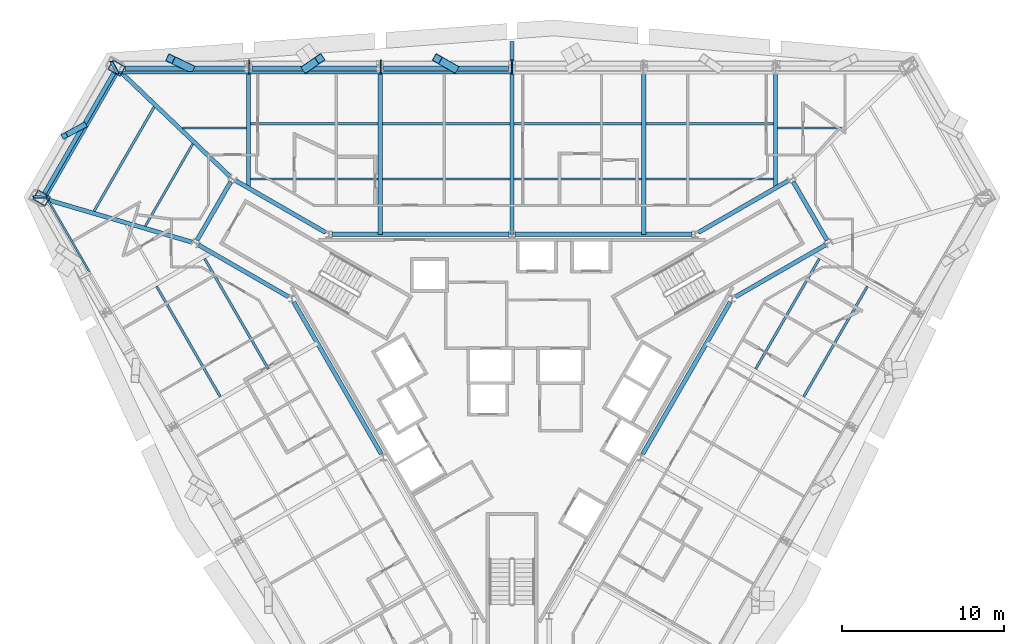
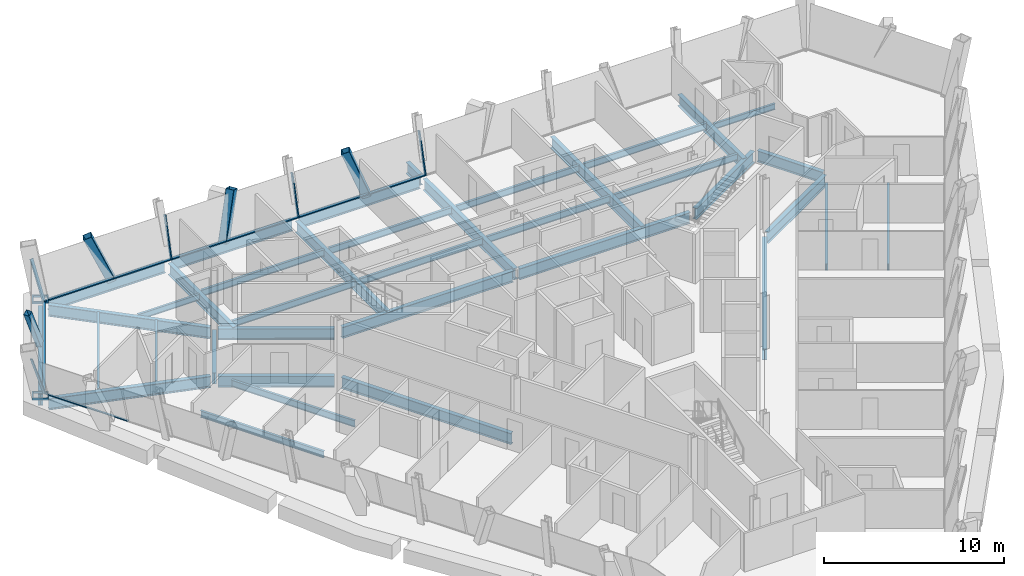
# One storey, part 5 of 14: 38 beams, 16 members, 3 elements without a shape of their own.
"""IFC4 building model written with IfcOpenShell, lengths in metres."""

from ifc_helpers import new_model, si_unit, direction, frame, origin, origin_2d, place, context, subcontext, project, spatial, rectangle, hollow_rectangle, i_section, extrude, material, material_profile, profile_set, type_object, element, aggregate, save


model = new_model("IFC4")

# Units and contexts
model_context = context("Model", 3, precision=1e-05, world=origin(), true_north=direction((0.0, 1.0)))
body_context = subcontext(model_context, "Body", "Model", "MODEL_VIEW")
ifc_project = project(units=[si_unit("LENGTHUNIT", "METRE"), si_unit("AREAUNIT", "SQUARE_METRE"), si_unit("VOLUMEUNIT", "CUBIC_METRE"), si_unit("PLANEANGLEUNIT", "RADIAN"), si_unit("MASSUNIT", "GRAM", prefix="KILO")], contexts=[model_context])

# Site, building, storey
site_placement = place(None, origin())
site = spatial("IfcSite", under=ifc_project, at=site_placement, CompositionType="ELEMENT")
building_placement = place(site_placement, origin())
building = spatial("IfcBuilding", under=site, at=building_placement, Name="Verrane Prism Tower", CompositionType="ELEMENT")
storey_placement = place(building_placement, frame((0.0, 0.0, 128.800048828125)))
storey = spatial("IfcBuildingStorey", under=building, at=storey_placement, Name="L31", CompositionType="ELEMENT", Elevation=128.800048828125)

# Member
ifc_material_1 = material(Name="Steel A500 Grade C", Category="steel")
ifc_material_profile_1 = material_profile(ifc_material_1, hollow_rectangle(XDim=0.355712890625, YDim=0.355712890625, WallThickness=0.0126953125, InnerFilletRadius=0.00634765625, OuterFilletRadius=0.01904296875, at=origin_2d()), Name="HSS14x14x1/2")
ifc_profile_set_1 = profile_set([ifc_material_profile_1], Name="Steel A500 Grade C")
member_type_1 = type_object("IfcMemberType", Name="Chamfer brace HSS14x14x1/2", PredefinedType="BRACE", material=ifc_profile_set_1)
member_1_placement = place(storey_placement, frame((-26.51611328125, 15.94482421875, -0.2451171875), z_axis=(-0.360232202737, -0.197238249277, 0.911772906558), x_axis=(0.480255117937, -0.87712885125, 0.0)))
element("IfcMember", 1, at=member_1_placement, inside=storey, type_object=member_type_1, Name="Chamfer brace NW0 L31", PredefinedType="BRACE", context=body_context, shape_type="SweptSolid", body=[
    extrude(hollow_rectangle(XDim=0.355712890625, YDim=0.355712890625, WallThickness=0.0126953125, InnerFilletRadius=0.00634765625, OuterFilletRadius=0.01904296875, at=origin_2d()), origin(), (0.0, 0.0, 1.0), 3.293701171875),
])

# Beams
ifc_material_2 = material(Name="Steel A992", Category="steel")
ifc_material_profile_2 = material_profile(ifc_material_2, i_section(OverallWidth=0.2666015625, OverallDepth=0.76708984375, WebThickness=0.014892578125, FlangeThickness=0.023681640625, FilletRadius=0.0166015625, at=origin_2d()), Name="W30x124")
ifc_profile_set_2 = profile_set([ifc_material_profile_2], Name="Steel A992")
beam_type_1 = type_object("IfcBeamType", Name="Chamfer spandrel beam W30x124", PredefinedType="SPANDREL", material=ifc_profile_set_2)
beam_1_placement = place(storey_placement, frame((-24.64501953125, 19.18701171875, -0.54345703125), z_axis=(-0.499834903175, -0.866120701501, 0.0), x_axis=(0.866120701501, -0.499834903175, 0.0)))
element("IfcBeam", 2, at=beam_1_placement, inside=storey, type_object=beam_type_1, Name="Chamfer spandrel beam L31", PredefinedType="SPANDREL", context=body_context, shape_type="SweptSolid", body=[
    extrude(i_section(OverallWidth=0.2666015625, OverallDepth=0.76708984375, WebThickness=0.014892578125, FlangeThickness=0.023681640625, FilletRadius=0.0166015625, at=origin_2d()), origin(), (0.0, 0.0, 1.0), 8.5830078125),
])
ifc_material_3 = material(Name="Steel A992", Category="steel")
ifc_material_profile_3 = material_profile(ifc_material_3, i_section(OverallWidth=0.2666015625, OverallDepth=0.7568359375, WebThickness=0.013916015625, FlangeThickness=0.019287109375, FilletRadius=0.0166015625, at=origin_2d()), Name="W30x108")
ifc_profile_set_3 = profile_set([ifc_material_profile_3], Name="Steel A992")
beam_type_2 = type_object("IfcBeamType", Name="Core ring girder W30x108", PredefinedType="BEAM", material=ifc_profile_set_3)
beam_2_placement = place(storey_placement, frame((13.830810546875, 5.335693359375, -0.628662109375), z_axis=(0.866455532004, 0.499254254924, 0.0), x_axis=(-0.499254254924, 0.866455532004, 0.0)))
element("IfcBeam", 3, at=beam_2_placement, inside=storey, type_object=beam_type_2, Name="Core ring girder L31", PredefinedType="BEAM", context=body_context, shape_type="SweptSolid", body=[
    extrude(i_section(OverallWidth=0.2666015625, OverallDepth=0.7568359375, WebThickness=0.013916015625, FlangeThickness=0.019287109375, FilletRadius=0.0166015625, at=origin_2d()), origin(), (0.0, 0.0, 1.0), 6.441162109375),
])
beam_3_placement = place(storey_placement, frame((19.4970703125, 8.838134765625, -0.628662109375), z_axis=(-0.500367003619, 0.865813410435, 0.0), x_axis=(-0.865813410435, -0.500367003619, 0.0)))
element("IfcBeam", 4, at=beam_3_placement, inside=storey, type_object=beam_type_2, Name="Core ring girder L31", PredefinedType="BEAM", context=body_context, shape_type="SweptSolid", body=[
    extrude(i_section(OverallWidth=0.2666015625, OverallDepth=0.7568359375, WebThickness=0.013916015625, FlangeThickness=0.019287109375, FilletRadius=0.0166015625, at=origin_2d()), origin(), (0.0, 0.0, 1.0), 4.185302734375),
])
beam_4_placement = place(storey_placement, frame((17.11181640625, 12.531494140625, -0.628662109375), z_axis=(-0.866455532004, -0.499254254924, 0.0), x_axis=(0.499254254924, -0.866455532004, 0.0)))
element("IfcBeam", 5, at=beam_4_placement, inside=storey, type_object=beam_type_2, Name="Core ring girder L31", PredefinedType="BEAM", context=body_context, shape_type="SweptSolid", body=[
    extrude(i_section(OverallWidth=0.2666015625, OverallDepth=0.7568359375, WebThickness=0.013916015625, FlangeThickness=0.019287109375, FilletRadius=0.0166015625, at=origin_2d()), origin(), (0.0, 0.0, 1.0), 6.441162109375),
])
for number, where, z_axis, x_axis, name in (
    (6, (11.12939453125, 9.199951171875, -0.628662109375), (-1.0, 0.0, 0.0), (0.0, -1.0, 0.0), "Core ring girder L31"),
    (7, (-0.20068359375, 9.199951171875, -0.628662109375), (-1.0, 0.0, 0.0), (0.0, -1.0, 0.0), "Core ring girder L31"),
):
    element("IfcBeam", number, at=place(storey_placement, frame(where, z_axis=z_axis, x_axis=x_axis)), inside=storey, type_object=beam_type_2, Name=name, PredefinedType="BEAM", context=body_context, shape_type="SweptSolid", body=[
        extrude(i_section(OverallWidth=0.2666015625, OverallDepth=0.7568359375, WebThickness=0.013916015625, FlangeThickness=0.019287109375, FilletRadius=0.0166015625, at=origin_2d()), origin(), (0.0, 0.0, 1.0), 10.9287109375),
    ])
beam_5_placement = place(storey_placement, frame((-11.53076171875, 9.315673828125, -0.628662109375), z_axis=(-0.866455532004, 0.499254254924, 0.0), x_axis=(-0.499254254924, -0.866455532004, 0.0)))
element("IfcBeam", 8, at=beam_5_placement, inside=storey, type_object=beam_type_2, Name="Core ring girder L31", PredefinedType="BEAM", context=body_context, shape_type="SweptSolid", body=[
    extrude(i_section(OverallWidth=0.2666015625, OverallDepth=0.7568359375, WebThickness=0.013916015625, FlangeThickness=0.019287109375, FilletRadius=0.0166015625, at=origin_2d()), origin(), (0.0, 0.0, 1.0), 6.441162109375),
])
beam_6_placement = place(storey_placement, frame((-17.40283203125, 12.4619140625, -0.628662109375), z_axis=(-0.500367003619, -0.865813410435, 0.0), x_axis=(0.865813410435, -0.500367003619, 0.0)))
element("IfcBeam", 9, at=beam_6_placement, inside=storey, type_object=beam_type_2, Name="Core ring girder L31", PredefinedType="BEAM", context=body_context, shape_type="SweptSolid", body=[
    extrude(i_section(OverallWidth=0.2666015625, OverallDepth=0.7568359375, WebThickness=0.013916015625, FlangeThickness=0.019287109375, FilletRadius=0.0166015625, at=origin_2d()), origin(), (0.0, 0.0, 1.0), 4.185302734375),
])
beam_7_placement = place(storey_placement, frame((-19.411865234375, 8.551513671875, -0.628662109375), z_axis=(0.866455532004, -0.499254254924, 0.0), x_axis=(0.499254254924, 0.866455532004, 0.0)))
element("IfcBeam", 10, at=beam_7_placement, inside=storey, type_object=beam_type_2, Name="Core ring girder L31", PredefinedType="BEAM", context=body_context, shape_type="SweptSolid", body=[
    extrude(i_section(OverallWidth=0.2666015625, OverallDepth=0.7568359375, WebThickness=0.013916015625, FlangeThickness=0.019287109375, FilletRadius=0.0166015625, at=origin_2d()), origin(), (0.0, 0.0, 1.0), 6.441162109375),
])
for number, where, z_axis, x_axis, name in (
    (11, (-13.51513671875, 5.0205078125, -0.628662109375), (0.4993706109, -0.866388476937, 0.0), (0.866388476937, 0.4993706109, 0.0), "Core ring girder L31"),
    (12, (8.0849609375, -4.400634765625, -0.628662109375), (0.4993706109, 0.866388476937, 0.0), (-0.866388476937, 0.4993706109, 0.0), "Core ring girder L31"),
):
    element("IfcBeam", number, at=place(storey_placement, frame(where, z_axis=z_axis, x_axis=x_axis)), inside=storey, type_object=beam_type_2, Name=name, PredefinedType="BEAM", context=body_context, shape_type="SweptSolid", body=[
        extrude(i_section(OverallWidth=0.2666015625, OverallDepth=0.7568359375, WebThickness=0.013916015625, FlangeThickness=0.019287109375, FilletRadius=0.0166015625, at=origin_2d()), origin(), (0.0, 0.0, 1.0), 10.8740234375),
    ])
ifc_material_4 = material(Name="Steel A992", Category="steel")
ifc_material_profile_4 = material_profile(ifc_material_4, i_section(OverallWidth=0.2666015625, OverallDepth=0.76708984375, WebThickness=0.014892578125, FlangeThickness=0.023681640625, FilletRadius=0.0166015625, at=origin_2d()), Name="W30x124")
ifc_profile_set_4 = profile_set([ifc_material_profile_4], Name="Steel A992")
beam_type_3 = type_object("IfcBeamType", Name="Corner girder W30x124", PredefinedType="BEAM", material=ifc_profile_set_4)
beam_8_placement = place(storey_placement, frame((-24.135009765625, 19.170166015625, -0.603515625), z_axis=(0.723045594002, -0.690800310506, 0.0), x_axis=(0.690800310506, 0.723045594002, 0.0)))
element("IfcBeam", 13, at=beam_8_placement, inside=storey, type_object=beam_type_3, Name="Corner girder L31", PredefinedType="BEAM", context=body_context, shape_type="SweptSolid", body=[
    extrude(i_section(OverallWidth=0.2666015625, OverallDepth=0.76708984375, WebThickness=0.014892578125, FlangeThickness=0.023681640625, FilletRadius=0.0166015625, at=origin_2d()), origin(), (0.0, 0.0, 1.0), 9.2294921875),
])
beam_9_placement = place(storey_placement, frame((-28.66552734375, 11.319580078125, -0.603515625), z_axis=(0.959558305514, -0.281509961313, 0.0), x_axis=(0.281509961313, 0.959558305514, 0.0)))
element("IfcBeam", 14, at=beam_9_placement, inside=storey, type_object=beam_type_3, Name="Corner girder L31", PredefinedType="BEAM", context=body_context, shape_type="SweptSolid", body=[
    extrude(i_section(OverallWidth=0.2666015625, OverallDepth=0.76708984375, WebThickness=0.014892578125, FlangeThickness=0.023681640625, FilletRadius=0.0166015625, at=origin_2d()), origin(), (0.0, 0.0, 1.0), 9.22412109375),
])

# Members
ifc_material_5 = material(Name="Steel A1085 Grade A", Category="steel")
ifc_material_profile_5 = material_profile(ifc_material_5, hollow_rectangle(XDim=0.508056640625, YDim=0.508056640625, WallThickness=0.025390625, InnerFilletRadius=0.0126953125, OuterFilletRadius=0.0380859375, at=origin_2d()), Name="HSS20x20x1")
ifc_profile_set_5 = profile_set([ifc_material_profile_5], Name="Steel A1085 Grade A")
member_type_2 = type_object("IfcMemberType", Name="Facade brace HSS20x20x1", PredefinedType="BRACE", material=ifc_profile_set_5)
member_2_placement = place(storey_placement, frame((-3.597900390625, 19.489990234375, -0.24267578125), z_axis=(-0.317498365882, 0.179905666151, 0.931036378961), x_axis=(-0.492991675049, -0.870034027112, 0.0)))
element("IfcMember", 15, at=member_2_placement, inside=storey, type_object=member_type_2, Name="Facade brace N3 L31", PredefinedType="BRACE", context=body_context, shape_type="SweptSolid", body=[
    extrude(hollow_rectangle(XDim=0.508056640625, YDim=0.508056640625, WallThickness=0.025390625, InnerFilletRadius=0.0126953125, OuterFilletRadius=0.0380859375, at=origin_2d()), origin(), (0.0, 0.0, 1.0), 3.231201171875),
])
member_3_placement = place(storey_placement, frame((-12.734375, 19.489990234375, -0.24267578125), z_axis=(0.264711269754, 0.182954291229, 0.946813429872), x_axis=(-0.568564109327, 0.822638957007, 0.0)))
element("IfcMember", 16, at=member_3_placement, inside=storey, type_object=member_type_2, Name="Facade brace N4 L31", PredefinedType="BRACE", context=body_context, shape_type="SweptSolid", body=[
    extrude(hollow_rectangle(XDim=0.508056640625, YDim=0.508056640625, WallThickness=0.025390625, InnerFilletRadius=0.0126953125, OuterFilletRadius=0.0380859375, at=origin_2d()), origin(), (0.0, 0.0, 1.0), 3.17724609375),
])
member_4_placement = place(storey_placement, frame((-19.927001953125, 19.489990234375, -0.24267578125), z_axis=(-0.369092947776, 0.17632630591, 0.912512701142), x_axis=(-0.431064681297, -0.902321029644, 0.0)))
element("IfcMember", 17, at=member_4_placement, inside=storey, type_object=member_type_2, Name="Facade brace N5 L31", PredefinedType="BRACE", context=body_context, shape_type="SweptSolid", body=[
    extrude(hollow_rectangle(XDim=0.508056640625, YDim=0.508056640625, WallThickness=0.025390625, InnerFilletRadius=0.0126953125, OuterFilletRadius=0.0380859375, at=origin_2d()), origin(), (0.0, 0.0, 1.0), 3.296630859375),
])

# Beams
ifc_material_6 = material(Name="Steel A992", Category="steel")
ifc_material_profile_6 = material_profile(ifc_material_6, i_section(OverallWidth=0.140380859375, OverallDepth=0.40380859375, WebThickness=0.007080078125, FlangeThickness=0.01123046875, FilletRadius=0.01025390625, at=origin_2d()), Name="W16x31")
ifc_profile_set_6 = profile_set([ifc_material_profile_6], Name="Steel A992")
beam_type_4 = type_object("IfcBeamType", Name="Floor beam W16x31", PredefinedType="BEAM", material=ifc_profile_set_6)
for number, where, z_axis, x_axis, name in (
    (18, (16.443603515625, 15.780029296875, -0.362060546875), (1.0, 0.0, 0.0), (0.0, 1.0, 0.0), "Floor beam L31"),
    (19, (-20.393310546875, 15.780029296875, -0.362060546875), (1.0, 0.0, 0.0), (0.0, 1.0, 0.0), "Floor beam L31"),
):
    element("IfcBeam", number, at=place(storey_placement, frame(where, z_axis=z_axis, x_axis=x_axis)), inside=storey, type_object=beam_type_4, Name=name, PredefinedType="BEAM", context=body_context, shape_type="SweptSolid", body=[
        extrude(i_section(OverallWidth=0.140380859375, OverallDepth=0.40380859375, WebThickness=0.007080078125, FlangeThickness=0.01123046875, FilletRadius=0.01025390625, at=origin_2d()), origin(), (0.0, 0.0, 1.0), 3.94970703125),
    ])
beam_10_placement = place(storey_placement, frame((-22.70068359375, 9.708740234375, -0.362060546875), z_axis=(0.500003813253, 0.866023202191, 0.0), x_axis=(-0.866023202191, 0.500003813253, 0.0)))
element("IfcBeam", 20, at=beam_10_placement, inside=storey, type_object=beam_type_4, Name="Floor beam L31", PredefinedType="BEAM", context=body_context, shape_type="SweptSolid", body=[
    extrude(i_section(OverallWidth=0.140380859375, OverallDepth=0.40380859375, WebThickness=0.007080078125, FlangeThickness=0.01123046875, FilletRadius=0.01025390625, at=origin_2d()), origin(), (0.0, 0.0, 1.0), 5.8837890625),
])
ifc_material_7 = material(Name="Steel A992", Category="steel")
ifc_material_profile_7 = material_profile(ifc_material_7, i_section(OverallWidth=0.15234375, OverallDepth=0.449462890625, WebThickness=0.007568359375, FlangeThickness=0.0107421875, FilletRadius=0.01025390625, at=origin_2d()), Name="W18x35")
ifc_profile_set_7 = profile_set([ifc_material_profile_7], Name="Steel A992")
beam_type_5 = type_object("IfcBeamType", Name="Floor beam W18x35", PredefinedType="BEAM", material=ifc_profile_set_7)
for number, where, z_axis, x_axis, name in (
    (21, (8.29345703125, 12.6298828125, -0.384765625), (1.0, 0.0, 0.0), (0.0, 1.0, 0.0), "Floor beam L31"),
    (22, (8.29345703125, 16.06005859375, -0.384765625), (1.0, 0.0, 0.0), (0.0, 1.0, 0.0), "Floor beam L31"),
):
    element("IfcBeam", number, at=place(storey_placement, frame(where, z_axis=z_axis, x_axis=x_axis)), inside=storey, type_object=beam_type_5, Name=name, PredefinedType="BEAM", context=body_context, shape_type="SweptSolid", body=[
        extrude(i_section(OverallWidth=0.15234375, OverallDepth=0.449462890625, WebThickness=0.007568359375, FlangeThickness=0.0107421875, FilletRadius=0.01025390625, at=origin_2d()), origin(), (0.0, 0.0, 1.0), 7.883056640625),
    ])
for number, where, z_axis, x_axis, name in (
    (23, (0.133544921875, 12.6298828125, -0.384765625), (1.0, 0.0, 0.0), (0.0, 1.0, 0.0), "Floor beam L31"),
    (24, (0.133544921875, 16.06005859375, -0.384765625), (1.0, 0.0, 0.0), (0.0, 1.0, 0.0), "Floor beam L31"),
    (25, (-8.026611328125, 12.6298828125, -0.384765625), (1.0, 0.0, 0.0), (0.0, 1.0, 0.0), "Floor beam L31"),
    (26, (-8.026611328125, 16.06005859375, -0.384765625), (1.0, 0.0, 0.0), (0.0, 1.0, 0.0), "Floor beam L31"),
):
    element("IfcBeam", number, at=place(storey_placement, frame(where, z_axis=z_axis, x_axis=x_axis)), inside=storey, type_object=beam_type_5, Name=name, PredefinedType="BEAM", context=body_context, shape_type="SweptSolid", body=[
        extrude(i_section(OverallWidth=0.15234375, OverallDepth=0.449462890625, WebThickness=0.007568359375, FlangeThickness=0.0107421875, FilletRadius=0.01025390625, at=origin_2d()), origin(), (0.0, 0.0, 1.0), 7.89306640625),
    ])
for number, where, z_axis, x_axis, name in (
    (27, (-16.176513671875, 12.6298828125, -0.384765625), (1.0, 0.0, 0.0), (0.0, 1.0, 0.0), "Floor beam L31"),
    (28, (-16.176513671875, 16.06005859375, -0.384765625), (1.0, 0.0, 0.0), (0.0, 1.0, 0.0), "Floor beam L31"),
):
    element("IfcBeam", number, at=place(storey_placement, frame(where, z_axis=z_axis, x_axis=x_axis)), inside=storey, type_object=beam_type_5, Name=name, PredefinedType="BEAM", context=body_context, shape_type="SweptSolid", body=[
        extrude(i_section(OverallWidth=0.15234375, OverallDepth=0.449462890625, WebThickness=0.007568359375, FlangeThickness=0.0107421875, FilletRadius=0.01025390625, at=origin_2d()), origin(), (0.0, 0.0, 1.0), 7.883056640625),
    ])
beam_11_placement = place(storey_placement, frame((-15.0810546875, 0.868408203125, -0.384765625), z_axis=(-0.499998505031, 0.866026266903, 0.0), x_axis=(-0.866026266903, -0.499998505031, 0.0)))
element("IfcBeam", 29, at=beam_11_placement, inside=storey, type_object=beam_type_5, Name="Floor beam L31", PredefinedType="BEAM", context=body_context, shape_type="SweptSolid", body=[
    extrude(i_section(OverallWidth=0.15234375, OverallDepth=0.449462890625, WebThickness=0.007568359375, FlangeThickness=0.0107421875, FilletRadius=0.01025390625, at=origin_2d()), origin(), (0.0, 0.0, 1.0), 7.88525390625),
])
for number, where, z_axis, x_axis, name in (
    (30, (-18.055419921875, -0.848876953125, -0.384765625), (-0.500004726595, 0.866022674866, 0.0), (-0.866022674866, -0.500004726595, 0.0), "Floor beam L31"),
    (31, (18.055419921875, -0.848876953125, -0.384765625), (0.500004726595, 0.866022674866, 0.0), (-0.866022674866, 0.500004726595, 0.0), "Floor beam L31"),
):
    element("IfcBeam", number, at=place(storey_placement, frame(where, z_axis=z_axis, x_axis=x_axis)), inside=storey, type_object=beam_type_5, Name=name, PredefinedType="BEAM", context=body_context, shape_type="SweptSolid", body=[
        extrude(i_section(OverallWidth=0.15234375, OverallDepth=0.449462890625, WebThickness=0.007568359375, FlangeThickness=0.0107421875, FilletRadius=0.01025390625, at=origin_2d()), origin(), (0.0, 0.0, 1.0), 7.88623046875),
    ])
beam_12_placement = place(storey_placement, frame((15.0810546875, 0.868408203125, -0.384765625), z_axis=(0.499998505031, 0.866026266903, 0.0), x_axis=(-0.866026266903, 0.499998505031, 0.0)))
element("IfcBeam", 32, at=beam_12_placement, inside=storey, type_object=beam_type_5, Name="Floor beam L31", PredefinedType="BEAM", context=body_context, shape_type="SweptSolid", body=[
    extrude(i_section(OverallWidth=0.15234375, OverallDepth=0.449462890625, WebThickness=0.007568359375, FlangeThickness=0.0107421875, FilletRadius=0.01025390625, at=origin_2d()), origin(), (0.0, 0.0, 1.0), 7.88525390625),
])
beam_13_placement = place(storey_placement, frame((-25.871826171875, 10.63916015625, -0.384765625), z_axis=(0.500011000363, 0.866019052629, 0.0), x_axis=(-0.866019052629, 0.500011000363, 0.0)))
element("IfcBeam", 33, at=beam_13_placement, inside=storey, type_object=beam_type_5, Name="Floor beam L31", PredefinedType="BEAM", context=body_context, shape_type="SweptSolid", body=[
    extrude(i_section(OverallWidth=0.15234375, OverallDepth=0.449462890625, WebThickness=0.007568359375, FlangeThickness=0.0107421875, FilletRadius=0.01025390625, at=origin_2d()), origin(), (0.0, 0.0, 1.0), 7.446044921875),
])

# Members
ifc_material_8 = material(Name="Steel A572 Grade 50", Category="steel")
ifc_material_profile_8 = material_profile(ifc_material_8, hollow_rectangle(XDim=0.699951171875, YDim=0.89990234375, WallThickness=0.06494140625, at=origin_2d()), Name="BOX 900x700x65")
ifc_profile_set_8 = profile_set([ifc_material_profile_8], Name="Steel A572 Grade 50")
member_type_3 = type_object("IfcMemberType", Name="Kink node BOX 900x700x65", PredefinedType="COLLAR", material=ifc_profile_set_8)
for number, where, z_axis, x_axis, name in (
    (34, (-24.47412109375, 19.497314453125, -0.074951171875), (0.0, 0.0, 1.0), (0.5, 0.866025403784, 0.0), "Kink node MC3 L31"),
    (35, (-29.118408203125, 11.449951171875, -0.074951171875), (0.0, 0.0, 1.0), (0.5, 0.866025403784, 0.0), "Kink node MC3 L31"),
):
    element("IfcMember", number, at=place(storey_placement, frame(where, z_axis=z_axis, x_axis=x_axis)), inside=storey, type_object=member_type_3, Name=name, PredefinedType="COLLAR", context=body_context, shape_type="SweptSolid", body=[
        extrude(hollow_rectangle(XDim=0.699951171875, YDim=0.89990234375, WallThickness=0.06494140625, at=origin_2d()), origin(), (0.0, 0.0, 1.0), 0.14990234375),
    ])

# Curtain wall, member
ifc_material_9 = material(Name="Aluminium framed insulated glazing", Category="aluminium")
curtain_wall_type_1 = type_object("IfcCurtainWallType", Name="Curtain wall CW-B 5600 module", PredefinedType="NOTDEFINED", material=ifc_material_9)
curtain_wall_1_placement = place(storey_placement, origin())
curtain_wall_1 = element("IfcCurtainWall", 36, at=curtain_wall_1_placement, inside=storey, type_object=curtain_wall_type_1, Name="Glazed curtain wall south-west face L31", PredefinedType="NOTDEFINED")
ifc_material_10 = material(Name="Aluminium alloy 6063-T6", Category="aluminium")
ifc_material_profile_9 = material_profile(ifc_material_10, rectangle(XDim=0.159912109375, YDim=0.06005859375, at=origin_2d()), Name="Mullion 60x160 aluminium")
ifc_profile_set_9 = profile_set([ifc_material_profile_9], Name="Aluminium alloy 6063-T6")
member_type_4 = type_object("IfcMemberType", Name="Mullion 60x160 aluminium", PredefinedType="MULLION", material=ifc_profile_set_9)
member_5_placement = place(storey_placement, frame((-28.821533203125, 11.498291015625, 0.0), z_axis=(-0.300584512834, 0.009535292877, 0.953707517447), x_axis=(0.449155454275, -0.880709301188, 0.150367897822)))
member_5 = element("IfcMember", 37, at=member_5_placement, type_object=member_type_4, Name="CW29.4 mullion 1", PredefinedType="MULLION", context=body_context, shape_type="SweptSolid", body=[
    extrude(rectangle(XDim=0.159912109375, YDim=0.06005859375, at=origin_2d()), origin(), (0.0, 0.0, 1.0), 2.739501953125),
])

# Curtain wall, members
ifc_material_11 = material(Name="Aluminium framed insulated glazing", Category="aluminium")
curtain_wall_type_2 = type_object("IfcCurtainWallType", Name="Curtain wall CW-A 8400 module", PredefinedType="NOTDEFINED", material=ifc_material_11)
curtain_wall_2_placement = place(storey_placement, origin())
curtain_wall_2 = element("IfcCurtainWall", 38, at=curtain_wall_2_placement, inside=storey, type_object=curtain_wall_type_2, Name="Glazed curtain wall north face L31", PredefinedType="NOTDEFINED")
ifc_material_12 = material(Name="Aluminium alloy 6063-T6", Category="aluminium")
ifc_material_profile_10 = material_profile(ifc_material_12, rectangle(XDim=0.199951171875, YDim=0.070068359375, at=origin_2d()), Name="Mullion 70x200 aluminium")
ifc_profile_set_10 = profile_set([ifc_material_profile_10], Name="Aluminium alloy 6063-T6")
member_type_5 = type_object("IfcMemberType", Name="Mullion 70x200 aluminium", PredefinedType="MULLION", material=ifc_profile_set_10)
member_6_placement = place(storey_placement, frame((0.0, 19.2109375, 0.0), z_axis=(0.0, 0.25876916976, 0.965939188967), x_axis=(0.0, 0.965939188967, -0.25876916976)))
member_6 = element("IfcMember", 39, at=member_6_placement, type_object=member_type_5, Name="CW29.2 mullion 4", PredefinedType="MULLION", context=body_context, shape_type="SweptSolid", body=[
    extrude(rectangle(XDim=0.199951171875, YDim=0.070068359375, at=origin_2d()), origin(), (0.0, 0.0, 1.0), 2.704833984375),
])
member_7_placement = place(storey_placement, frame((-8.1328125, 19.2109375, 0.0), z_axis=(0.0, 0.25876916976, 0.965939188967), x_axis=(0.0, 0.965939188967, -0.25876916976)))
member_7 = element("IfcMember", 40, at=member_7_placement, type_object=member_type_5, Name="CW29.2 mullion 5", PredefinedType="MULLION", context=body_context, shape_type="SweptSolid", body=[
    extrude(rectangle(XDim=0.199951171875, YDim=0.070068359375, at=origin_2d()), origin(), (0.0, 0.0, 1.0), 2.704833984375),
])
member_8_placement = place(storey_placement, frame((-16.265625, 19.2109375, 0.0), z_axis=(0.0, 0.25876916976, 0.965939188967), x_axis=(0.0, 0.965939188967, -0.25876916976)))
member_8 = element("IfcMember", 41, at=member_8_placement, type_object=member_type_5, Name="CW29.2 mullion 6", PredefinedType="MULLION", context=body_context, shape_type="SweptSolid", body=[
    extrude(rectangle(XDim=0.199951171875, YDim=0.070068359375, at=origin_2d()), origin(), (0.0, 0.0, 1.0), 2.704833984375),
])

# Curtain wall, member
curtain_wall_3_placement = place(storey_placement, origin())
curtain_wall_3 = element("IfcCurtainWall", 42, at=curtain_wall_3_placement, inside=storey, type_object=curtain_wall_type_2, Name="Glazed curtain wall north-west corner L31", PredefinedType="NOTDEFINED")
member_9_placement = place(storey_placement, frame((-24.416015625, 19.1806640625, 0.0), z_axis=(-0.141208004403, 0.266468858782, 0.953443572946), x_axis=(-0.988441513075, 0.015721885055, -0.150785269709)))
member_9 = element("IfcMember", 43, at=member_9_placement, type_object=member_type_5, Name="CW29.3 mullion 1", PredefinedType="MULLION", context=body_context, shape_type="SweptSolid", body=[
    extrude(rectangle(XDim=0.199951171875, YDim=0.070068359375, at=origin_2d()), origin(), (0.0, 0.0, 1.0), 2.740478515625),
])

# Beams
ifc_material_13 = material(Name="Steel A992", Category="steel")
ifc_material_profile_11 = material_profile(ifc_material_13, i_section(OverallWidth=0.2666015625, OverallDepth=0.76708984375, WebThickness=0.014892578125, FlangeThickness=0.023681640625, FilletRadius=0.0166015625, at=origin_2d()), Name="W30x124")
ifc_profile_set_11 = profile_set([ifc_material_profile_11], Name="Steel A992")
beam_type_6 = type_object("IfcBeamType", Name="Radial girder W30x124", PredefinedType="BEAM", material=ifc_profile_set_11)
beam_14_placement = place(storey_placement, frame((16.31005859375, 19.2626953125, -0.603515625), z_axis=(0.0, -1.0, 0.0), x_axis=(1.0, 0.0, 0.0)))
element("IfcBeam", 44, at=beam_14_placement, inside=storey, type_object=beam_type_6, Name="Radial girder L31", PredefinedType="BEAM", context=body_context, shape_type="SweptSolid", body=[
    extrude(i_section(OverallWidth=0.2666015625, OverallDepth=0.76708984375, WebThickness=0.014892578125, FlangeThickness=0.023681640625, FilletRadius=0.0166015625, at=origin_2d()), origin(), (0.0, 0.0, 1.0), 7.193115234375),
])
for number, where, z_axis, x_axis, name in (
    (45, (8.159912109375, 19.2626953125, -0.603515625), (0.0, -1.0, 0.0), (1.0, 0.0, 0.0), "Radial girder L31"),
    (46, (0.0, 19.2626953125, -0.603515625), (0.0, -1.0, 0.0), (1.0, 0.0, 0.0), "Radial girder L31"),
    (47, (-8.159912109375, 19.2626953125, -0.603515625), (0.0, -1.0, 0.0), (1.0, 0.0, 0.0), "Radial girder L31"),
):
    element("IfcBeam", number, at=place(storey_placement, frame(where, z_axis=z_axis, x_axis=x_axis)), inside=storey, type_object=beam_type_6, Name=name, PredefinedType="BEAM", context=body_context, shape_type="SweptSolid", body=[
        extrude(i_section(OverallWidth=0.2666015625, OverallDepth=0.76708984375, WebThickness=0.014892578125, FlangeThickness=0.023681640625, FilletRadius=0.0166015625, at=origin_2d()), origin(), (0.0, 0.0, 1.0), 10.062744140625),
    ])
beam_15_placement = place(storey_placement, frame((-16.31005859375, 19.2626953125, -0.603515625), z_axis=(0.0, -1.0, 0.0), x_axis=(1.0, 0.0, 0.0)))
element("IfcBeam", 48, at=beam_15_placement, inside=storey, type_object=beam_type_6, Name="Radial girder L31", PredefinedType="BEAM", context=body_context, shape_type="SweptSolid", body=[
    extrude(i_section(OverallWidth=0.2666015625, OverallDepth=0.76708984375, WebThickness=0.014892578125, FlangeThickness=0.023681640625, FilletRadius=0.0166015625, at=origin_2d()), origin(), (0.0, 0.0, 1.0), 7.193115234375),
])
beam_16_placement = place(storey_placement, frame((0.0, 19.71337890625, -0.603515625), z_axis=(0.0, 1.0, 0.0), x_axis=(-1.0, 0.0, 0.0)))
element("IfcBeam", 49, at=beam_16_placement, inside=storey, type_object=beam_type_6, Name="Cantilever girder L31", PredefinedType="BEAM", context=body_context, shape_type="SweptSolid", body=[
    extrude(i_section(OverallWidth=0.2666015625, OverallDepth=0.76708984375, WebThickness=0.014892578125, FlangeThickness=0.023681640625, FilletRadius=0.0166015625, at=origin_2d()), origin(), (0.0, 0.0, 1.0), 1.430419921875),
])
ifc_material_14 = material(Name="Steel A992", Category="steel")
ifc_material_profile_12 = material_profile(ifc_material_14, i_section(OverallWidth=0.2666015625, OverallDepth=0.7568359375, WebThickness=0.013916015625, FlangeThickness=0.019287109375, FilletRadius=0.0166015625, at=origin_2d()), Name="W30x108")
ifc_profile_set_12 = profile_set([ifc_material_profile_12], Name="Steel A992")
beam_type_7 = type_object("IfcBeamType", Name="Spandrel beam W30x108", PredefinedType="SPANDREL", material=ifc_profile_set_12)
beam_17_placement = place(storey_placement, frame((-0.20947265625, 19.489990234375, -0.53857421875), z_axis=(-1.0, 0.0, 0.0), x_axis=(0.0, -1.0, 0.0)))
element("IfcBeam", 50, at=beam_17_placement, inside=storey, type_object=beam_type_7, Name="Spandrel beam L31", PredefinedType="SPANDREL", context=body_context, shape_type="SweptSolid", body=[
    extrude(i_section(OverallWidth=0.2666015625, OverallDepth=0.7568359375, WebThickness=0.013916015625, FlangeThickness=0.019287109375, FilletRadius=0.0166015625, at=origin_2d()), origin(), (0.0, 0.0, 1.0), 7.740966796875),
])
beam_18_placement = place(storey_placement, frame((-8.36962890625, 19.489990234375, -0.53857421875), z_axis=(-1.0, 0.0, 0.0), x_axis=(0.0, -1.0, 0.0)))
element("IfcBeam", 51, at=beam_18_placement, inside=storey, type_object=beam_type_7, Name="Spandrel beam L31", PredefinedType="SPANDREL", context=body_context, shape_type="SweptSolid", body=[
    extrude(i_section(OverallWidth=0.2666015625, OverallDepth=0.7568359375, WebThickness=0.013916015625, FlangeThickness=0.019287109375, FilletRadius=0.0166015625, at=origin_2d()), origin(), (0.0, 0.0, 1.0), 7.730712890625),
])
beam_19_placement = place(storey_placement, frame((-16.51953125, 19.489990234375, -0.53857421875), z_axis=(-1.0, 0.0, 0.0), x_axis=(0.0, -1.0, 0.0)))
element("IfcBeam", 52, at=beam_19_placement, inside=storey, type_object=beam_type_7, Name="Spandrel beam L31", PredefinedType="SPANDREL", context=body_context, shape_type="SweptSolid", body=[
    extrude(i_section(OverallWidth=0.2666015625, OverallDepth=0.7568359375, WebThickness=0.013916015625, FlangeThickness=0.019287109375, FilletRadius=0.0166015625, at=origin_2d()), origin(), (0.0, 0.0, 1.0), 7.430908203125),
])

# Member
ifc_material_15 = material(Name="Aluminium alloy 6063-T6", Category="aluminium")
ifc_material_profile_13 = material_profile(ifc_material_15, rectangle(XDim=0.1201171875, YDim=0.06005859375, at=origin_2d()), Name="Transom 60x120 aluminium")
ifc_profile_set_13 = profile_set([ifc_material_profile_13], Name="Aluminium alloy 6063-T6")
member_type_6 = type_object("IfcMemberType", Name="Transom 60x120 aluminium", PredefinedType="USERDEFINED", material=ifc_profile_set_13)
member_10_placement = place(storey_placement, frame((-28.806396484375, 11.472412109375, 0.030029296875), z_axis=(0.499965555435, -0.86604528945, 0.0), x_axis=(0.86604528945, 0.499965555435, 0.0)))
member_10 = element("IfcMember", 53, at=member_10_placement, type_object=member_type_6, Name="CW29.4 transom 1", ObjectType="TRANSOM", PredefinedType="USERDEFINED", context=body_context, shape_type="SweptSolid", body=[
    extrude(rectangle(XDim=0.1201171875, YDim=0.06005859375, at=origin_2d()), origin(), (0.0, 0.0, 1.0), 5.33203125),
])

aggregate(curtain_wall_1, [member_5, member_10])

ifc_material_16 = material(Name="Aluminium alloy 6063-T6", Category="aluminium")
ifc_material_profile_14 = material_profile(ifc_material_16, rectangle(XDim=0.14990234375, YDim=0.070068359375, at=origin_2d()), Name="Transom 70x150 aluminium")
ifc_profile_set_14 = profile_set([ifc_material_profile_14], Name="Aluminium alloy 6063-T6")
member_type_7 = type_object("IfcMemberType", Name="Transom 70x150 aluminium", PredefinedType="USERDEFINED", material=ifc_profile_set_14)
member_11_placement = place(storey_placement, frame((-0.034912109375, 19.2109375, 0.034912109375), z_axis=(-1.0, 0.0, 0.0), x_axis=(0.0, -1.0, 0.0)))
member_11 = element("IfcMember", 54, at=member_11_placement, type_object=member_type_7, Name="CW29.2 transom 4", ObjectType="TRANSOM", PredefinedType="USERDEFINED", context=body_context, shape_type="SweptSolid", body=[
    extrude(rectangle(XDim=0.14990234375, YDim=0.070068359375, at=origin_2d()), origin(), (0.0, 0.0, 1.0), 8.06298828125),
])

member_12_placement = place(storey_placement, frame((-8.16796875, 19.2109375, 0.034912109375), z_axis=(-1.0, 0.0, 0.0), x_axis=(0.0, -1.0, 0.0)))
member_12 = element("IfcMember", 55, at=member_12_placement, type_object=member_type_7, Name="CW29.2 transom 5", ObjectType="TRANSOM", PredefinedType="USERDEFINED", context=body_context, shape_type="SweptSolid", body=[
    extrude(rectangle(XDim=0.14990234375, YDim=0.070068359375, at=origin_2d()), origin(), (0.0, 0.0, 1.0), 8.062744140625),
])

member_13_placement = place(storey_placement, frame((-16.30078125, 19.2109375, 0.034912109375), z_axis=(-1.0, 0.0, 0.0), x_axis=(0.0, -1.0, 0.0)))
member_13 = element("IfcMember", 56, at=member_13_placement, type_object=member_type_7, Name="CW29.2 transom 6", ObjectType="TRANSOM", PredefinedType="USERDEFINED", context=body_context, shape_type="SweptSolid", body=[
    extrude(rectangle(XDim=0.14990234375, YDim=0.070068359375, at=origin_2d()), origin(), (0.0, 0.0, 1.0), 8.097900390625),
])

aggregate(curtain_wall_2, [member_6, member_7, member_8, member_11, member_12, member_13])

member_14_placement = place(storey_placement, frame((-24.43359375, 19.150390625, 0.034912109375), z_axis=(-0.499997650106, -0.866026760492, 0.0), x_axis=(0.866026760492, -0.499997650106, 0.0)))
member_14 = element("IfcMember", 57, at=member_14_placement, type_object=member_type_7, Name="CW29.3 transom 1", ObjectType="TRANSOM", PredefinedType="USERDEFINED", context=body_context, shape_type="SweptSolid", body=[
    extrude(rectangle(XDim=0.14990234375, YDim=0.070068359375, at=origin_2d()), origin(), (0.0, 0.0, 1.0), 8.8056640625),
])

aggregate(curtain_wall_3, [member_9, member_14])

save(model, "model.ifc")
